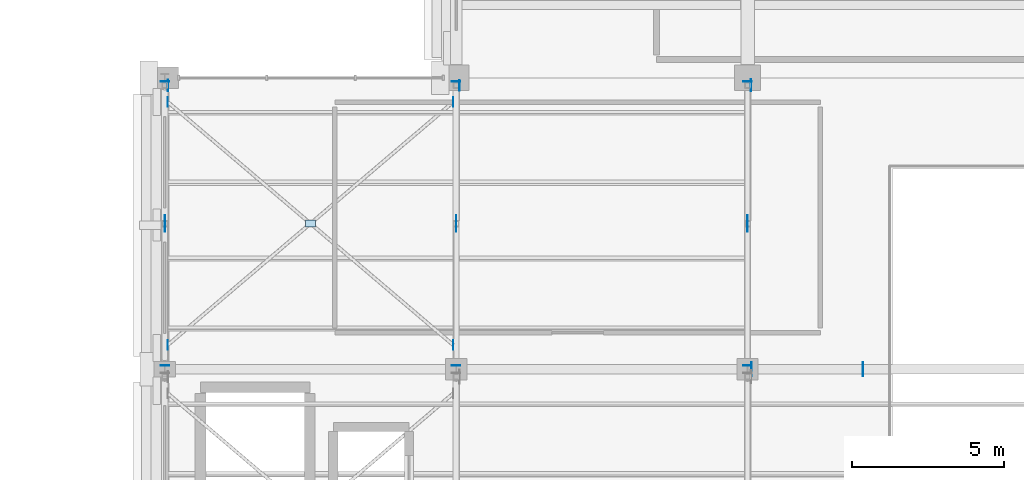
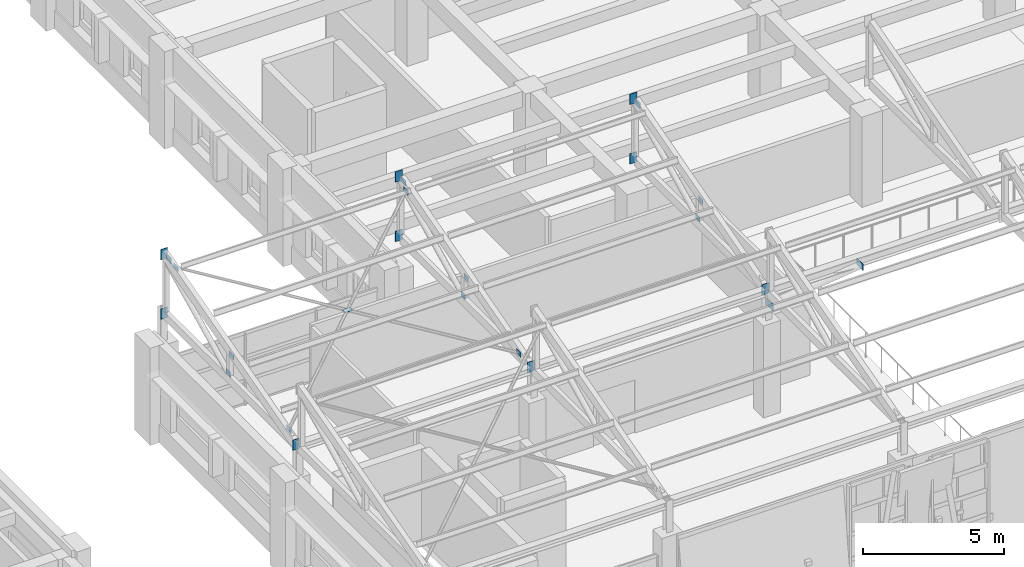
# One storey, part 42 of 58: 25 plates.
"""IFC4 building model written with IfcOpenShell, lengths in metres."""

from ifc_helpers import new_model, si_unit, direction, frame, origin, origin_2d, place, context, subcontext, project, spatial, rectangle, extrude, material, layer, layer_set, type_object, element, save


model = new_model("IFC4")

# Units and contexts
model_context = context("Model", 3, precision=1e-05, world=origin(), true_north=direction((0.0, 1.0)))
body_context = subcontext(model_context, "Body", "Model", "MODEL_VIEW")
ifc_project = project(units=[si_unit("LENGTHUNIT", "METRE"), si_unit("AREAUNIT", "SQUARE_METRE"), si_unit("VOLUMEUNIT", "CUBIC_METRE"), si_unit("PLANEANGLEUNIT", "RADIAN"), si_unit("MASSUNIT", "GRAM", prefix="KILO")], contexts=[model_context])

# Site, building, storey
site_placement = place(None, origin())
site = spatial("IfcSite", under=ifc_project, at=site_placement, CompositionType="ELEMENT")
building_placement = place(site_placement, origin())
building = spatial("IfcBuilding", under=site, at=building_placement, Name="Bempovik Park Faculty of Sciences", CompositionType="ELEMENT")
storey_placement = place(building_placement, frame((0.0, 0.0, 18.300048828125)))
storey = spatial("IfcBuildingStorey", under=building, at=storey_placement, Name="L04", CompositionType="ELEMENT", Elevation=18.300048828125)

# Plates
ifc_material = material(Name="Steel S355", Category="steel")
ifc_layer_1 = layer(ifc_material, 0.01611328125)
ifc_layer_set_1 = layer_set([ifc_layer_1], Name="Steel S355")
plate_type_1 = type_object("IfcPlateType", Name="PL-18 Steel Plate 400x280x16", PredefinedType="SHEET", material=ifc_layer_set_1)
plate_1_placement = place(storey_placement, frame((69.7060546875, 86.75, 7.4345703125), z_axis=(0.0, 0.0, 1.0), x_axis=(1.0, 0.0, 0.0)))
element("IfcPlate", 1, at=plate_1_placement, inside=storey, type_object=plate_type_1, Name="Sawtooth Ridge Gusset Plate V2-B2-69.6", PredefinedType="SHEET", context=body_context, shape_type="SweptSolid", body=[
    extrude(rectangle(XDim=0.01611328125, YDim=0.39990234375, at=origin_2d()), origin(), (0.0, 0.0, 1.0), 0.280029296875),
])
ifc_layer_2 = layer(ifc_material, 0.01611328125)
ifc_layer_set_2 = layer_set([ifc_layer_2], Name="Steel S355")
plate_type_2 = type_object("IfcPlateType", Name="PL-19 Steel Plate 350x240x16", PredefinedType="USERDEFINED", material=ifc_layer_set_2)
plate_2_placement = place(storey_placement, frame((60.10595703125, 86.75, 7.45458984375), z_axis=(0.0, 0.0, 1.0), x_axis=(1.0, 0.0, 0.0)))
element("IfcPlate", 2, at=plate_2_placement, inside=storey, type_object=plate_type_2, Name="Sawtooth Ridge Gusset Plate V2-B2-60.0", ObjectType="STIFFENER PLATE", PredefinedType="USERDEFINED", context=body_context, shape_type="SweptSolid", body=[
    extrude(rectangle(XDim=0.01611328125, YDim=0.35009765625, at=origin_2d()), origin(), (0.0, 0.0, 1.0), 0.239990234375),
])
ifc_layer_3 = layer(ifc_material, 0.011962890625)
ifc_layer_set_3 = layer_set([ifc_layer_3], Name="Steel S355")
plate_type_3 = type_object("IfcPlateType", Name="PL-26 Steel Plate 320x220x12", PredefinedType="SHEET", material=ifc_layer_set_3)
plate_3_placement = place(storey_placement, frame((55.199951171875, 82.199951171875, 6.46240234375), z_axis=(0.0, 0.0, 1.0), x_axis=(1.0, 0.0, 0.0)))
element("IfcPlate", 3, at=plate_3_placement, inside=storey, type_object=plate_type_3, Name="Sawtooth X-Brace Crossing Node Gusset V2-B2-50.4", PredefinedType="SHEET", context=body_context, shape_type="SweptSolid", body=[
    extrude(rectangle(XDim=0.320068359375, YDim=0.219970703125, at=origin_2d()), origin(), (0.0, 0.0, 1.0), 0.011962890625),
])
for number, where, z_axis, x_axis, name in (
    (4, (50.49609375, 78.199951171875, 5.28662109375), (0.0, 0.0, 1.0), (1.0, 0.0, 0.0), "Sawtooth X-Brace End Gusset V2-B2-50.4-1"),
    (5, (59.904052734375, 86.199951171875, 7.43017578125), (0.0, 0.0, 1.0), (1.0, 0.0, 0.0), "Sawtooth X-Brace End Gusset V2-B2-50.4-2"),
    (6, (50.49609375, 86.199951171875, 7.43017578125), (0.0, 0.0, 1.0), (1.0, 0.0, 0.0), "Sawtooth X-Brace End Gusset V2-B2-50.4-3"),
    (7, (59.904052734375, 78.199951171875, 5.28662109375), (0.0, 0.0, 1.0), (1.0, 0.0, 0.0), "Sawtooth X-Brace End Gusset V2-B2-50.4-4"),
    (8, (50.39990234375, 82.094970703125, 6.138671875), (0.0, 0.0, 1.0), (1.0, 0.0, 0.0), "Brace/Strut End Gusset Plate SAW-V2-B2-D1-504-E2"),
    (9, (50.39990234375, 82.304931640625, 5.2509765625), (0.0, 0.0, 1.0), (1.0, 0.0, 0.0), "Brace/Strut End Gusset Plate SAW-V2-B2-D2-504-E1"),
    (10, (60.0, 82.094970703125, 6.138671875), (0.0, 0.0, 1.0), (1.0, 0.0, 0.0), "Brace/Strut End Gusset Plate SAW-V2-B2-D1-600-E2"),
    (11, (60.0, 82.304931640625, 5.2509765625), (0.0, 0.0, 1.0), (1.0, 0.0, 0.0), "Brace/Strut End Gusset Plate SAW-V2-B2-D2-600-E1"),
    (12, (69.60009765625, 82.094970703125, 6.138671875), (0.0, 0.0, 1.0), (1.0, 0.0, 0.0), "Brace/Strut End Gusset Plate SAW-V2-B2-D1-696-E2"),
    (13, (69.60009765625, 82.304931640625, 5.2509765625), (0.0, 0.0, 1.0), (1.0, 0.0, 0.0), "Brace/Strut End Gusset Plate SAW-V2-B2-D2-696-E1"),
):
    element("IfcPlate", number, at=place(storey_placement, frame(where, z_axis=z_axis, x_axis=x_axis)), inside=storey, type_object=plate_type_3, Name=name, PredefinedType="SHEET", context=body_context, shape_type="SweptSolid", body=[
        extrude(rectangle(XDim=0.011962890625, YDim=0.320068359375, at=origin_2d()), origin(), (0.0, 0.0, 1.0), 0.219970703125),
    ])
ifc_layer_4 = layer(ifc_material, 0.02001953125)
ifc_layer_set_4 = layer_set([ifc_layer_4], Name="Steel S355")
plate_type_4 = type_object("IfcPlateType", Name="PL-36 Steel Plate 450x280x20", PredefinedType="USERDEFINED", material=ifc_layer_set_4)
for number, where, z_axis, x_axis, name in (
    (14, (50.39990234375, 86.8779296875, 7.52978515625), (0.0, 0.0, 1.0), (1.0, 0.0, 0.0), "Atrium Sawtooth Rafter End Cap V2-B2-50.4"),
    (15, (50.39990234375, 77.52197265625, 4.95751953125), (0.0, 0.0, 1.0), (1.0, 0.0, 0.0), "Atrium Sawtooth Valley Rafter End Cap V2-B2-50.4"),
    (16, (50.39990234375, 86.8779296875, 4.955078125), (0.0, 0.0, 1.0), (1.0, 0.0, 0.0), "Atrium Sawtooth Bottom Chord End Cap V2-B2-50.4"),
    (17, (60.0, 86.8779296875, 7.52978515625), (0.0, 0.0, 1.0), (1.0, 0.0, 0.0), "Atrium Sawtooth Rafter End Cap V2-B2-60.0"),
    (18, (60.0, 77.52197265625, 4.95751953125), (0.0, 0.0, 1.0), (1.0, 0.0, 0.0), "Atrium Sawtooth Valley Rafter End Cap V2-B2-60.0"),
    (19, (60.0, 86.8779296875, 4.955078125), (0.0, 0.0, 1.0), (1.0, 0.0, 0.0), "Atrium Sawtooth Bottom Chord End Cap V2-B2-60.0"),
    (20, (69.60009765625, 86.8779296875, 7.52978515625), (0.0, 0.0, 1.0), (1.0, 0.0, 0.0), "Atrium Sawtooth Rafter End Cap V2-B2-69.6"),
    (21, (69.60009765625, 77.52197265625, 4.95751953125), (0.0, 0.0, 1.0), (1.0, 0.0, 0.0), "Atrium Sawtooth Valley Rafter End Cap V2-B2-69.6"),
    (22, (69.60009765625, 86.8779296875, 4.955078125), (0.0, 0.0, 1.0), (1.0, 0.0, 0.0), "Atrium Sawtooth Bottom Chord End Cap V2-B2-69.6"),
):
    element("IfcPlate", number, at=place(storey_placement, frame(where, z_axis=z_axis, x_axis=x_axis)), inside=storey, type_object=plate_type_4, Name=name, ObjectType="STIFFENER PLATE", PredefinedType="USERDEFINED", context=body_context, shape_type="SweptSolid", body=[
        extrude(rectangle(XDim=0.280029296875, YDim=0.02001953125, at=origin_2d()), origin(), (0.0, 0.0, 1.0), 0.449951171875),
    ])
for number, where, z_axis, x_axis, name in (
    (23, (69.72412109375, 77.39990234375, 4.39013671875), (0.0, 0.0, 1.0), (1.0, 0.0, 0.0), "Atrium Truss Diagonal End Cap 69.6-1"),
    (24, (73.406005859375, 77.39990234375, 4.84228515625), (0.0, 0.0, 1.0), (1.0, 0.0, 0.0), "Atrium Truss Diagonal End Cap 69.6-2"),
):
    element("IfcPlate", number, at=place(storey_placement, frame(where, z_axis=z_axis, x_axis=x_axis)), inside=storey, type_object=plate_type_4, Name=name, ObjectType="STIFFENER PLATE", PredefinedType="USERDEFINED", context=body_context, shape_type="SweptSolid", body=[
        extrude(rectangle(XDim=0.02001953125, YDim=0.449951171875, at=origin_2d()), origin(), (0.0, 0.0, 1.0), 0.280029296875),
    ])
ifc_layer_5 = layer(ifc_material, 0.01611328125)
ifc_layer_set_5 = layer_set([ifc_layer_5], Name="Steel S355")
plate_type_5 = type_object("IfcPlateType", Name="PL-50 Steel Plate 380x260x16", PredefinedType="SHEET", material=ifc_layer_set_5)
plate_4_placement = place(storey_placement, frame((50.506103515625, 86.75, 7.4443359375), z_axis=(0.0, 0.0, 1.0), x_axis=(1.0, 0.0, 0.0)))
element("IfcPlate", 25, at=plate_4_placement, inside=storey, type_object=plate_type_5, Name="Sawtooth Ridge Gusset Plate V2-B2-50.4", PredefinedType="SHEET", context=body_context, shape_type="SweptSolid", body=[
    extrude(rectangle(XDim=0.01611328125, YDim=0.3798828125, at=origin_2d()), origin(), (0.0, 0.0, 1.0), 0.260009765625),
])

save(model, "model.ifc")
